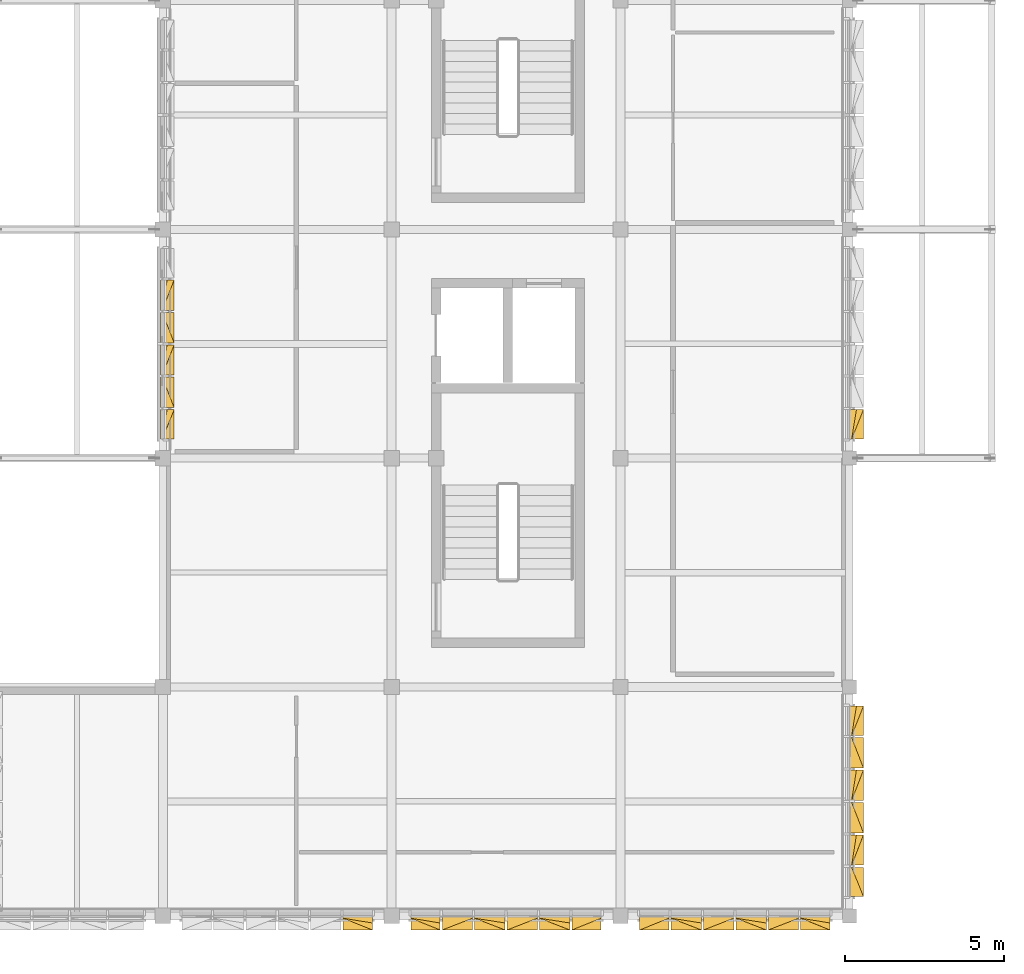
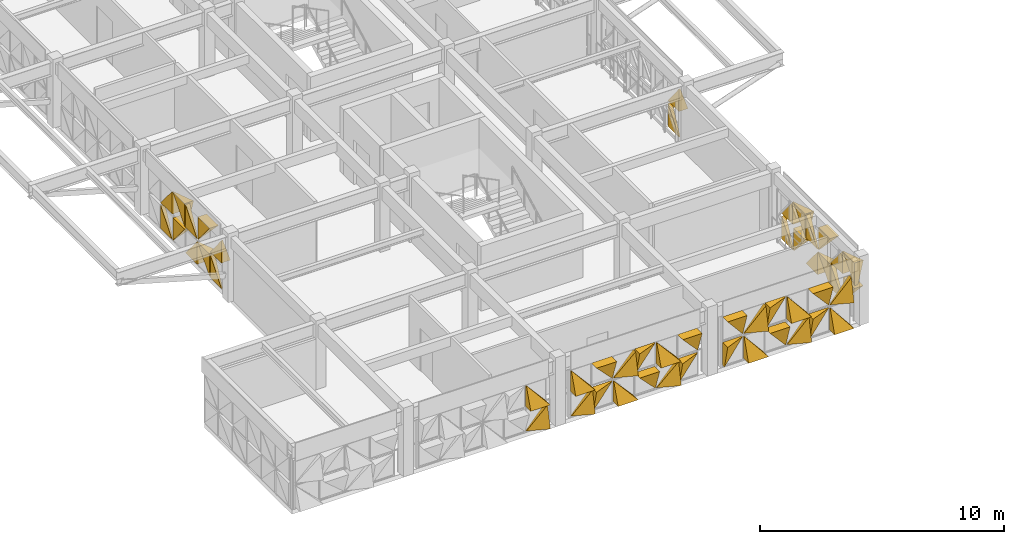
# One storey, part 27 of 30: 50 coverings.
"""IFC4 building model written with IfcOpenShell, lengths in metres."""

from ifc_helpers import new_model, si_unit, direction, frame, origin, place, context, subcontext, project, spatial, polygons, material, layer, layer_set, type_object, element, save


model = new_model("IFC4")

# Units and contexts
model_context = context("Model", 3, precision=1e-05, world=origin(), true_north=direction((0.0, 1.0)))
body_context = subcontext(model_context, "Body", "Model", "MODEL_VIEW")
ifc_project = project(units=[si_unit("LENGTHUNIT", "METRE"), si_unit("AREAUNIT", "SQUARE_METRE"), si_unit("VOLUMEUNIT", "CUBIC_METRE"), si_unit("PLANEANGLEUNIT", "RADIAN"), si_unit("MASSUNIT", "GRAM", prefix="KILO")], contexts=[model_context])

# Site, building, storey
site_placement = place(None, origin())
site = spatial("IfcSite", under=ifc_project, at=site_placement, CompositionType="ELEMENT")
building_placement = place(site_placement, origin())
building = spatial("IfcBuilding", under=site, at=building_placement, Name="Alvorim Cloister Faculty of Sciences", CompositionType="ELEMENT")
storey_placement = place(building_placement, frame((0.0, 0.0, 26.25)))
storey = spatial("IfcBuildingStorey", under=building, at=storey_placement, Name="L07", CompositionType="ELEMENT", Elevation=26.25)

# Coverings
ifc_material = material(Name="Perforated Bronze Alloy Sheet", Category="metal")
ifc_layer = layer(ifc_material, 0.0380859375)
ifc_layer_set = layer_set([ifc_layer], Name="Perforated Bronze Alloy Sheet")
covering_type = type_object("IfcCoveringType", Name="COV-TRI-BRZ", PredefinedType="CLADDING", material=ifc_layer_set)
covering_1_placement = place(storey_placement, frame((22.205078125, 7.155029296875, 0.139892578125), z_axis=(0.0, 0.0, 1.0), x_axis=(1.0, 0.0, 0.0)))
element("IfcCovering", 1, at=covering_1_placement, inside=storey, type_object=covering_type, Name="Diagonal Solid Metal Triangle TRI-TL", PredefinedType="CLADDING", context=body_context, shape_type="Tessellation", body=[
    polygons([(0.920607421875, 0.0260009765625, 1.14013671875), (0.0, 0.0260009765625, 1.14013671875), (0.0, 0.0260009765625, 0.002), (0.920607421875, -0.03, 1.14013671875), (0.0, -0.4, 1.14013671875), (0.0, -0.13999999999999999, 0.002)], [[[1, 3, 2]], [[4, 5, 6]], [[1, 2, 5, 4]], [[2, 3, 6, 5]], [[3, 1, 4, 6]]], closed=True),
])
covering_2_placement = place(storey_placement, frame((22.205078125, 7.155029296875, 1.419921875), z_axis=(0.0, 0.0, 1.0), x_axis=(1.0, 0.0, 0.0)))
element("IfcCovering", 2, at=covering_2_placement, inside=storey, type_object=covering_type, Name="Diagonal Solid Metal Triangle TRI-TR", PredefinedType="CLADDING", context=body_context, shape_type="Tessellation", body=[
    polygons([(0.922607421875, 0.0260009765625, 0.002), (0.922607421875, 0.0260009765625, 1.14013671875), (0.002, 0.0260009765625, 1.14013671875), (0.922607421875, -0.03, 0.002), (0.922607421875, -0.4, 1.14013671875), (0.002, -0.4, 1.14013671875)], [[[1, 3, 2]], [[4, 5, 6]], [[1, 2, 5, 4]], [[2, 3, 6, 5]], [[3, 1, 4, 6]]], closed=True),
])
covering_3_placement = place(storey_placement, frame((23.1923828125, 7.155029296875, 0.139892578125), z_axis=(0.0, 0.0, 1.0), x_axis=(1.0, 0.0, 0.0)))
element("IfcCovering", 3, at=covering_3_placement, inside=storey, type_object=covering_type, Name="Diagonal Solid Metal Triangle TRI-BL", PredefinedType="CLADDING", context=body_context, shape_type="Tessellation", body=[
    polygons([(0.0, 0.0260009765625, 0.0), (0.953078125, 0.0260009765625, 0.0), (0.0, 0.0260009765625, 1.13813671875), (0.0, -0.4, 0.0), (0.953078125, -0.4, 0.0), (0.0, -0.03, 1.13813671875)], [[[1, 3, 2]], [[4, 5, 6]], [[1, 2, 5, 4]], [[2, 3, 6, 5]], [[3, 1, 4, 6]]], closed=True),
])
covering_4_placement = place(storey_placement, frame((23.1923828125, 7.155029296875, 1.419921875), z_axis=(0.0, 0.0, 1.0), x_axis=(1.0, 0.0, 0.0)))
element("IfcCovering", 4, at=covering_4_placement, inside=storey, type_object=covering_type, Name="Diagonal Solid Metal Triangle TRI-BR", PredefinedType="CLADDING", context=body_context, shape_type="Tessellation", body=[
    polygons([(0.002, 0.0260009765625, 0.0), (0.955078125, 0.0260009765625, 0.0), (0.955078125, 0.0260009765625, 1.13813671875), (0.002, -0.03, 0.0), (0.955078125, -0.4, 0.0), (0.955078125, -0.18000000000000002, 1.13813671875)], [[[1, 3, 2]], [[4, 5, 6]], [[1, 2, 5, 4]], [[2, 3, 6, 5]], [[3, 1, 4, 6]]], closed=True),
])
covering_5_placement = place(storey_placement, frame((24.21240234375, 7.155029296875, 0.139892578125), z_axis=(0.0, 0.0, 1.0), x_axis=(1.0, 0.0, 0.0)))
element("IfcCovering", 5, at=covering_5_placement, inside=storey, type_object=covering_type, Name="Diagonal Solid Metal Triangle TRI-TR", PredefinedType="CLADDING", context=body_context, shape_type="Tessellation", body=[
    polygons([(0.955078125, 0.0260009765625, 0.002), (0.955078125, 0.0260009765625, 1.14013671875), (0.002, 0.0260009765625, 1.14013671875), (0.955078125, -0.03, 0.002), (0.955078125, -0.4, 1.14013671875), (0.002, -0.4, 1.14013671875)], [[[1, 3, 2]], [[4, 5, 6]], [[1, 2, 5, 4]], [[2, 3, 6, 5]], [[3, 1, 4, 6]]], closed=True),
])
covering_6_placement = place(storey_placement, frame((24.21240234375, 7.155029296875, 1.419921875), z_axis=(0.0, 0.0, 1.0), x_axis=(1.0, 0.0, 0.0)))
element("IfcCovering", 6, at=covering_6_placement, inside=storey, type_object=covering_type, Name="Diagonal Solid Metal Triangle TRI-TL", PredefinedType="CLADDING", context=body_context, shape_type="Tessellation", body=[
    polygons([(0.953078125, 0.0260009765625, 1.14013671875), (0.0, 0.0260009765625, 1.14013671875), (0.0, 0.0260009765625, 0.002), (0.953078125, -0.03, 1.14013671875), (0.0, -0.4, 1.14013671875), (0.0, -0.13999999999999999, 0.002)], [[[1, 3, 2]], [[4, 5, 6]], [[1, 2, 5, 4]], [[2, 3, 6, 5]], [[3, 1, 4, 6]]], closed=True),
])
covering_7_placement = place(storey_placement, frame((25.232421875, 7.155029296875, 0.139892578125), z_axis=(0.0, 0.0, 1.0), x_axis=(1.0, 0.0, 0.0)))
element("IfcCovering", 7, at=covering_7_placement, inside=storey, type_object=covering_type, Name="Diagonal Solid Metal Triangle TRI-BR", PredefinedType="CLADDING", context=body_context, shape_type="Tessellation", body=[
    polygons([(0.002, 0.0260009765625, 0.0), (0.955078125, 0.0260009765625, 0.0), (0.955078125, 0.0260009765625, 1.13813671875), (0.002, -0.03, 0.0), (0.955078125, -0.4, 0.0), (0.955078125, -0.18000000000000002, 1.13813671875)], [[[1, 3, 2]], [[4, 5, 6]], [[1, 2, 5, 4]], [[2, 3, 6, 5]], [[3, 1, 4, 6]]], closed=True),
])
covering_8_placement = place(storey_placement, frame((25.232421875, 7.155029296875, 1.419921875), z_axis=(0.0, 0.0, 1.0), x_axis=(1.0, 0.0, 0.0)))
element("IfcCovering", 8, at=covering_8_placement, inside=storey, type_object=covering_type, Name="Diagonal Solid Metal Triangle TRI-BL", PredefinedType="CLADDING", context=body_context, shape_type="Tessellation", body=[
    polygons([(0.0, 0.0260009765625, 0.0), (0.953078125, 0.0260009765625, 0.0), (0.0, 0.0260009765625, 1.13813671875), (0.0, -0.4, 0.0), (0.953078125, -0.4, 0.0), (0.0, -0.03, 1.13813671875)], [[[1, 3, 2]], [[4, 5, 6]], [[1, 2, 5, 4]], [[2, 3, 6, 5]], [[3, 1, 4, 6]]], closed=True),
])
covering_9_placement = place(storey_placement, frame((26.25244140625, 7.155029296875, 0.139892578125), z_axis=(0.0, 0.0, 1.0), x_axis=(1.0, 0.0, 0.0)))
element("IfcCovering", 9, at=covering_9_placement, inside=storey, type_object=covering_type, Name="Diagonal Solid Metal Triangle TRI-TL", PredefinedType="CLADDING", context=body_context, shape_type="Tessellation", body=[
    polygons([(0.953078125, 0.0260009765625, 1.14013671875), (0.0, 0.0260009765625, 1.14013671875), (0.0, 0.0260009765625, 0.002), (0.953078125, -0.03, 1.14013671875), (0.0, -0.4, 1.14013671875), (0.0, -0.13999999999999999, 0.002)], [[[1, 3, 2]], [[4, 5, 6]], [[1, 2, 5, 4]], [[2, 3, 6, 5]], [[3, 1, 4, 6]]], closed=True),
])
covering_10_placement = place(storey_placement, frame((26.25244140625, 7.155029296875, 1.419921875), z_axis=(0.0, 0.0, 1.0), x_axis=(1.0, 0.0, 0.0)))
element("IfcCovering", 10, at=covering_10_placement, inside=storey, type_object=covering_type, Name="Diagonal Solid Metal Triangle TRI-TR", PredefinedType="CLADDING", context=body_context, shape_type="Tessellation", body=[
    polygons([(0.955078125, 0.0260009765625, 0.002), (0.955078125, 0.0260009765625, 1.14013671875), (0.002, 0.0260009765625, 1.14013671875), (0.955078125, -0.03, 0.002), (0.955078125, -0.4, 1.14013671875), (0.002, -0.4, 1.14013671875)], [[[1, 3, 2]], [[4, 5, 6]], [[1, 2, 5, 4]], [[2, 3, 6, 5]], [[3, 1, 4, 6]]], closed=True),
])
covering_11_placement = place(storey_placement, frame((27.2724609375, 7.155029296875, 0.139892578125), z_axis=(0.0, 0.0, 1.0), x_axis=(1.0, 0.0, 0.0)))
element("IfcCovering", 11, at=covering_11_placement, inside=storey, type_object=covering_type, Name="Diagonal Solid Metal Triangle TRI-BL", PredefinedType="CLADDING", context=body_context, shape_type="Tessellation", body=[
    polygons([(0.0, 0.0260009765625, 0.0), (0.920607421875, 0.0260009765625, 0.0), (0.0, 0.0260009765625, 1.13813671875), (0.0, -0.4, 0.0), (0.920607421875, -0.4, 0.0), (0.0, -0.03, 1.13813671875)], [[[1, 3, 2]], [[4, 5, 6]], [[1, 2, 5, 4]], [[2, 3, 6, 5]], [[3, 1, 4, 6]]], closed=True),
])
covering_12_placement = place(storey_placement, frame((27.2724609375, 7.155029296875, 1.419921875), z_axis=(0.0, 0.0, 1.0), x_axis=(1.0, 0.0, 0.0)))
element("IfcCovering", 12, at=covering_12_placement, inside=storey, type_object=covering_type, Name="Diagonal Solid Metal Triangle TRI-BR", PredefinedType="CLADDING", context=body_context, shape_type="Tessellation", body=[
    polygons([(0.002, 0.0260009765625, 0.0), (0.922607421875, 0.0260009765625, 0.0), (0.922607421875, 0.0260009765625, 1.13813671875), (0.002, -0.03, 0.0), (0.922607421875, -0.4, 0.0), (0.922607421875, -0.18000000000000002, 1.13813671875)], [[[1, 3, 2]], [[4, 5, 6]], [[1, 2, 5, 4]], [[2, 3, 6, 5]], [[3, 1, 4, 6]]], closed=True),
])
covering_13_placement = place(storey_placement, frame((15.0048828125, 7.155029296875, 0.139892578125), z_axis=(0.0, 0.0, 1.0), x_axis=(1.0, 0.0, 0.0)))
element("IfcCovering", 13, at=covering_13_placement, inside=storey, type_object=covering_type, Name="Diagonal Solid Metal Triangle TRI-BR", PredefinedType="CLADDING", context=body_context, shape_type="Tessellation", body=[
    polygons([(0.002, 0.0260009765625, 0.0), (0.922607421875, 0.0260009765625, 0.0), (0.922607421875, 0.0260009765625, 1.066115234375), (0.002, -0.03, 0.0), (0.922607421875, -0.4, 0.0), (0.922607421875, -0.18000000000000002, 1.066115234375)], [[[1, 3, 2]], [[4, 5, 6]], [[1, 2, 5, 4]], [[2, 3, 6, 5]], [[3, 1, 4, 6]]], closed=True),
])
covering_14_placement = place(storey_placement, frame((15.0048828125, 7.155029296875, 1.347900390625), z_axis=(0.0, 0.0, 1.0), x_axis=(1.0, 0.0, 0.0)))
element("IfcCovering", 14, at=covering_14_placement, inside=storey, type_object=covering_type, Name="Diagonal Solid Metal Triangle TRI-BL", PredefinedType="CLADDING", context=body_context, shape_type="Tessellation", body=[
    polygons([(0.0, 0.0260009765625, 0.0), (0.920607421875, 0.0260009765625, 0.0), (0.0, 0.0260009765625, 1.066115234375), (0.0, -0.4, 0.0), (0.920607421875, -0.4, 0.0), (0.0, -0.03, 1.066115234375)], [[[1, 3, 2]], [[4, 5, 6]], [[1, 2, 5, 4]], [[2, 3, 6, 5]], [[3, 1, 4, 6]]], closed=True),
])
covering_15_placement = place(storey_placement, frame((15.992431640625, 7.155029296875, 0.139892578125), z_axis=(0.0, 0.0, 1.0), x_axis=(1.0, 0.0, 0.0)))
element("IfcCovering", 15, at=covering_15_placement, inside=storey, type_object=covering_type, Name="Diagonal Solid Metal Triangle TRI-TL", PredefinedType="CLADDING", context=body_context, shape_type="Tessellation", body=[
    polygons([(0.953078125, 0.0260009765625, 1.068115234375), (0.0, 0.0260009765625, 1.068115234375), (0.0, 0.0260009765625, 0.002), (0.953078125, -0.03, 1.068115234375), (0.0, -0.4, 1.068115234375), (0.0, -0.13999999999999999, 0.002)], [[[1, 3, 2]], [[4, 5, 6]], [[1, 2, 5, 4]], [[2, 3, 6, 5]], [[3, 1, 4, 6]]], closed=True),
])
covering_16_placement = place(storey_placement, frame((15.992431640625, 7.155029296875, 1.347900390625), z_axis=(0.0, 0.0, 1.0), x_axis=(1.0, 0.0, 0.0)))
element("IfcCovering", 16, at=covering_16_placement, inside=storey, type_object=covering_type, Name="Diagonal Solid Metal Triangle TRI-TR", PredefinedType="CLADDING", context=body_context, shape_type="Tessellation", body=[
    polygons([(0.955078125, 0.0260009765625, 0.002), (0.955078125, 0.0260009765625, 1.068115234375), (0.002, 0.0260009765625, 1.068115234375), (0.955078125, -0.03, 0.002), (0.955078125, -0.4, 1.068115234375), (0.002, -0.4, 1.068115234375)], [[[1, 3, 2]], [[4, 5, 6]], [[1, 2, 5, 4]], [[2, 3, 6, 5]], [[3, 1, 4, 6]]], closed=True),
])
covering_17_placement = place(storey_placement, frame((17.012451171875, 7.155029296875, 0.139892578125), z_axis=(0.0, 0.0, 1.0), x_axis=(1.0, 0.0, 0.0)))
element("IfcCovering", 17, at=covering_17_placement, inside=storey, type_object=covering_type, Name="Diagonal Solid Metal Triangle TRI-BL", PredefinedType="CLADDING", context=body_context, shape_type="Tessellation", body=[
    polygons([(0.0, 0.0260009765625, 0.0), (0.953078125, 0.0260009765625, 0.0), (0.0, 0.0260009765625, 1.066115234375), (0.0, -0.4, 0.0), (0.953078125, -0.4, 0.0), (0.0, -0.03, 1.066115234375)], [[[1, 3, 2]], [[4, 5, 6]], [[1, 2, 5, 4]], [[2, 3, 6, 5]], [[3, 1, 4, 6]]], closed=True),
])
covering_18_placement = place(storey_placement, frame((17.012451171875, 7.155029296875, 1.347900390625), z_axis=(0.0, 0.0, 1.0), x_axis=(1.0, 0.0, 0.0)))
element("IfcCovering", 18, at=covering_18_placement, inside=storey, type_object=covering_type, Name="Diagonal Solid Metal Triangle TRI-BR", PredefinedType="CLADDING", context=body_context, shape_type="Tessellation", body=[
    polygons([(0.002, 0.0260009765625, 0.0), (0.955078125, 0.0260009765625, 0.0), (0.955078125, 0.0260009765625, 1.066115234375), (0.002, -0.03, 0.0), (0.955078125, -0.4, 0.0), (0.955078125, -0.18000000000000002, 1.066115234375)], [[[1, 3, 2]], [[4, 5, 6]], [[1, 2, 5, 4]], [[2, 3, 6, 5]], [[3, 1, 4, 6]]], closed=True),
])
covering_19_placement = place(storey_placement, frame((18.032470703125, 7.155029296875, 0.139892578125), z_axis=(0.0, 0.0, 1.0), x_axis=(1.0, 0.0, 0.0)))
element("IfcCovering", 19, at=covering_19_placement, inside=storey, type_object=covering_type, Name="Diagonal Solid Metal Triangle TRI-TR", PredefinedType="CLADDING", context=body_context, shape_type="Tessellation", body=[
    polygons([(0.955078125, 0.0260009765625, 0.002), (0.955078125, 0.0260009765625, 1.068115234375), (0.002, 0.0260009765625, 1.068115234375), (0.955078125, -0.03, 0.002), (0.955078125, -0.4, 1.068115234375), (0.002, -0.4, 1.068115234375)], [[[1, 3, 2]], [[4, 5, 6]], [[1, 2, 5, 4]], [[2, 3, 6, 5]], [[3, 1, 4, 6]]], closed=True),
])
covering_20_placement = place(storey_placement, frame((18.032470703125, 7.155029296875, 1.347900390625), z_axis=(0.0, 0.0, 1.0), x_axis=(1.0, 0.0, 0.0)))
element("IfcCovering", 20, at=covering_20_placement, inside=storey, type_object=covering_type, Name="Diagonal Solid Metal Triangle TRI-TL", PredefinedType="CLADDING", context=body_context, shape_type="Tessellation", body=[
    polygons([(0.953078125, 0.0260009765625, 1.068115234375), (0.0, 0.0260009765625, 1.068115234375), (0.0, 0.0260009765625, 0.002), (0.953078125, -0.03, 1.068115234375), (0.0, -0.4, 1.068115234375), (0.0, -0.13999999999999999, 0.002)], [[[1, 3, 2]], [[4, 5, 6]], [[1, 2, 5, 4]], [[2, 3, 6, 5]], [[3, 1, 4, 6]]], closed=True),
])
covering_21_placement = place(storey_placement, frame((19.052490234375, 7.155029296875, 0.139892578125), z_axis=(0.0, 0.0, 1.0), x_axis=(1.0, 0.0, 0.0)))
element("IfcCovering", 21, at=covering_21_placement, inside=storey, type_object=covering_type, Name="Diagonal Solid Metal Triangle TRI-BR", PredefinedType="CLADDING", context=body_context, shape_type="Tessellation", body=[
    polygons([(0.002, 0.0260009765625, 0.0), (0.955078125, 0.0260009765625, 0.0), (0.955078125, 0.0260009765625, 1.066115234375), (0.002, -0.03, 0.0), (0.955078125, -0.4, 0.0), (0.955078125, -0.18000000000000002, 1.066115234375)], [[[1, 3, 2]], [[4, 5, 6]], [[1, 2, 5, 4]], [[2, 3, 6, 5]], [[3, 1, 4, 6]]], closed=True),
])
covering_22_placement = place(storey_placement, frame((19.052490234375, 7.155029296875, 1.347900390625), z_axis=(0.0, 0.0, 1.0), x_axis=(1.0, 0.0, 0.0)))
element("IfcCovering", 22, at=covering_22_placement, inside=storey, type_object=covering_type, Name="Diagonal Solid Metal Triangle TRI-BL", PredefinedType="CLADDING", context=body_context, shape_type="Tessellation", body=[
    polygons([(0.0, 0.0260009765625, 0.0), (0.953078125, 0.0260009765625, 0.0), (0.0, 0.0260009765625, 1.066115234375), (0.0, -0.4, 0.0), (0.953078125, -0.4, 0.0), (0.0, -0.03, 1.066115234375)], [[[1, 3, 2]], [[4, 5, 6]], [[1, 2, 5, 4]], [[2, 3, 6, 5]], [[3, 1, 4, 6]]], closed=True),
])
covering_23_placement = place(storey_placement, frame((20.072509765625, 7.155029296875, 0.139892578125), z_axis=(0.0, 0.0, 1.0), x_axis=(1.0, 0.0, 0.0)))
element("IfcCovering", 23, at=covering_23_placement, inside=storey, type_object=covering_type, Name="Diagonal Solid Metal Triangle TRI-TL", PredefinedType="CLADDING", context=body_context, shape_type="Tessellation", body=[
    polygons([(0.920607421875, 0.0260009765625, 1.068115234375), (0.0, 0.0260009765625, 1.068115234375), (0.0, 0.0260009765625, 0.002), (0.920607421875, -0.03, 1.068115234375), (0.0, -0.4, 1.068115234375), (0.0, -0.13999999999999999, 0.002)], [[[1, 3, 2]], [[4, 5, 6]], [[1, 2, 5, 4]], [[2, 3, 6, 5]], [[3, 1, 4, 6]]], closed=True),
])
covering_24_placement = place(storey_placement, frame((20.072509765625, 7.155029296875, 1.347900390625), z_axis=(0.0, 0.0, 1.0), x_axis=(1.0, 0.0, 0.0)))
element("IfcCovering", 24, at=covering_24_placement, inside=storey, type_object=covering_type, Name="Diagonal Solid Metal Triangle TRI-TR", PredefinedType="CLADDING", context=body_context, shape_type="Tessellation", body=[
    polygons([(0.922607421875, 0.0260009765625, 0.002), (0.922607421875, 0.0260009765625, 1.068115234375), (0.002, 0.0260009765625, 1.068115234375), (0.922607421875, -0.03, 0.002), (0.922607421875, -0.4, 1.068115234375), (0.002, -0.4, 1.068115234375)], [[[1, 3, 2]], [[4, 5, 6]], [[1, 2, 5, 4]], [[2, 3, 6, 5]], [[3, 1, 4, 6]]], closed=True),
])
covering_25_placement = place(storey_placement, frame((12.87255859375, 7.155029296875, 0.139892578125), z_axis=(0.0, 0.0, 1.0), x_axis=(1.0, 0.0, 0.0)))
element("IfcCovering", 25, at=covering_25_placement, inside=storey, type_object=covering_type, Name="Diagonal Solid Metal Triangle TRI-BR", PredefinedType="CLADDING", context=body_context, shape_type="Tessellation", body=[
    polygons([(0.002, 0.0260009765625, 0.0), (0.922607421875, 0.0260009765625, 0.0), (0.922607421875, 0.0260009765625, 1.066115234375), (0.002, -0.03, 0.0), (0.922607421875, -0.4, 0.0), (0.922607421875, -0.18000000000000002, 1.066115234375)], [[[1, 3, 2]], [[4, 5, 6]], [[1, 2, 5, 4]], [[2, 3, 6, 5]], [[3, 1, 4, 6]]], closed=True),
])
covering_26_placement = place(storey_placement, frame((12.87255859375, 7.155029296875, 1.347900390625), z_axis=(0.0, 0.0, 1.0), x_axis=(1.0, 0.0, 0.0)))
element("IfcCovering", 26, at=covering_26_placement, inside=storey, type_object=covering_type, Name="Diagonal Solid Metal Triangle TRI-BL", PredefinedType="CLADDING", context=body_context, shape_type="Tessellation", body=[
    polygons([(0.0, 0.0260009765625, 0.0), (0.920607421875, 0.0260009765625, 0.0), (0.0, 0.0260009765625, 1.066115234375), (0.0, -0.4, 0.0), (0.920607421875, -0.4, 0.0), (0.0, -0.03, 1.066115234375)], [[[1, 3, 2]], [[4, 5, 6]], [[1, 2, 5, 4]], [[2, 3, 6, 5]], [[3, 1, 4, 6]]], closed=True),
])
covering_27_placement = place(storey_placement, frame((7.155029296875, 22.205078125, 0.139892578125), z_axis=(0.0, 0.0, 1.0), x_axis=(0.0, 1.0, 0.0)))
element("IfcCovering", 27, at=covering_27_placement, inside=storey, type_object=covering_type, Name="Diagonal Solid Metal Triangle TRI-BR", PredefinedType="CLADDING", context=body_context, shape_type="Tessellation", body=[
    polygons([(0.002, 0.0260009765625, 0.0), (0.922607421875, 0.0260009765625, 0.0), (0.922607421875, 0.0260009765625, 1.13813671875), (0.002, -0.03, 0.0), (0.922607421875, -0.4, 0.0), (0.922607421875, -0.18000000000000002, 1.13813671875)], [[[1, 3, 2]], [[4, 5, 6]], [[1, 2, 5, 4]], [[2, 3, 6, 5]], [[3, 1, 4, 6]]], closed=True),
])
covering_28_placement = place(storey_placement, frame((7.155029296875, 22.205078125, 1.419921875), z_axis=(0.0, 0.0, 1.0), x_axis=(0.0, 1.0, 0.0)))
element("IfcCovering", 28, at=covering_28_placement, inside=storey, type_object=covering_type, Name="Diagonal Solid Metal Triangle TRI-BL", PredefinedType="CLADDING", context=body_context, shape_type="Tessellation", body=[
    polygons([(0.0, 0.0260009765625, 0.0), (0.920607421875, 0.0260009765625, 0.0), (0.0, 0.0260009765625, 1.13813671875), (0.0, -0.4, 0.0), (0.920607421875, -0.4, 0.0), (0.0, -0.03, 1.13813671875)], [[[1, 3, 2]], [[4, 5, 6]], [[1, 2, 5, 4]], [[2, 3, 6, 5]], [[3, 1, 4, 6]]], closed=True),
])
covering_29_placement = place(storey_placement, frame((7.155029296875, 23.1923828125, 0.139892578125), z_axis=(0.0, 0.0, 1.0), x_axis=(0.0, 1.0, 0.0)))
element("IfcCovering", 29, at=covering_29_placement, inside=storey, type_object=covering_type, Name="Diagonal Solid Metal Triangle TRI-TL", PredefinedType="CLADDING", context=body_context, shape_type="Tessellation", body=[
    polygons([(0.953078125, 0.0260009765625, 1.14013671875), (0.0, 0.0260009765625, 1.14013671875), (0.0, 0.0260009765625, 0.002), (0.953078125, -0.03, 1.14013671875), (0.0, -0.4, 1.14013671875), (0.0, -0.13999999999999999, 0.002)], [[[1, 3, 2]], [[4, 5, 6]], [[1, 2, 5, 4]], [[2, 3, 6, 5]], [[3, 1, 4, 6]]], closed=True),
])
covering_30_placement = place(storey_placement, frame((7.155029296875, 23.1923828125, 1.419921875), z_axis=(0.0, 0.0, 1.0), x_axis=(0.0, 1.0, 0.0)))
element("IfcCovering", 30, at=covering_30_placement, inside=storey, type_object=covering_type, Name="Diagonal Solid Metal Triangle TRI-TR", PredefinedType="CLADDING", context=body_context, shape_type="Tessellation", body=[
    polygons([(0.955078125, 0.0260009765625, 0.002), (0.955078125, 0.0260009765625, 1.14013671875), (0.002, 0.0260009765625, 1.14013671875), (0.955078125, -0.03, 0.002), (0.955078125, -0.4, 1.14013671875), (0.002, -0.4, 1.14013671875)], [[[1, 3, 2]], [[4, 5, 6]], [[1, 2, 5, 4]], [[2, 3, 6, 5]], [[3, 1, 4, 6]]], closed=True),
])
covering_31_placement = place(storey_placement, frame((7.155029296875, 24.21240234375, 0.139892578125), z_axis=(0.0, 0.0, 1.0), x_axis=(0.0, 1.0, 0.0)))
element("IfcCovering", 31, at=covering_31_placement, inside=storey, type_object=covering_type, Name="Diagonal Solid Metal Triangle TRI-BL", PredefinedType="CLADDING", context=body_context, shape_type="Tessellation", body=[
    polygons([(0.0, 0.0260009765625, 0.0), (0.953078125, 0.0260009765625, 0.0), (0.0, 0.0260009765625, 1.13813671875), (0.0, -0.4, 0.0), (0.953078125, -0.4, 0.0), (0.0, -0.03, 1.13813671875)], [[[1, 3, 2]], [[4, 5, 6]], [[1, 2, 5, 4]], [[2, 3, 6, 5]], [[3, 1, 4, 6]]], closed=True),
])
covering_32_placement = place(storey_placement, frame((7.155029296875, 24.21240234375, 1.419921875), z_axis=(0.0, 0.0, 1.0), x_axis=(0.0, 1.0, 0.0)))
element("IfcCovering", 32, at=covering_32_placement, inside=storey, type_object=covering_type, Name="Diagonal Solid Metal Triangle TRI-BR", PredefinedType="CLADDING", context=body_context, shape_type="Tessellation", body=[
    polygons([(0.002, 0.0260009765625, 0.0), (0.955078125, 0.0260009765625, 0.0), (0.955078125, 0.0260009765625, 1.13813671875), (0.002, -0.03, 0.0), (0.955078125, -0.4, 0.0), (0.955078125, -0.18000000000000002, 1.13813671875)], [[[1, 3, 2]], [[4, 5, 6]], [[1, 2, 5, 4]], [[2, 3, 6, 5]], [[3, 1, 4, 6]]], closed=True),
])
covering_33_placement = place(storey_placement, frame((7.155029296875, 25.232421875, 0.139892578125), z_axis=(0.0, 0.0, 1.0), x_axis=(0.0, 1.0, 0.0)))
element("IfcCovering", 33, at=covering_33_placement, inside=storey, type_object=covering_type, Name="Diagonal Solid Metal Triangle TRI-TR", PredefinedType="CLADDING", context=body_context, shape_type="Tessellation", body=[
    polygons([(0.955078125, 0.0260009765625, 0.002), (0.955078125, 0.0260009765625, 1.14013671875), (0.002, 0.0260009765625, 1.14013671875), (0.955078125, -0.03, 0.002), (0.955078125, -0.4, 1.14013671875), (0.002, -0.4, 1.14013671875)], [[[1, 3, 2]], [[4, 5, 6]], [[1, 2, 5, 4]], [[2, 3, 6, 5]], [[3, 1, 4, 6]]], closed=True),
])
covering_34_placement = place(storey_placement, frame((7.155029296875, 25.232421875, 1.419921875), z_axis=(0.0, 0.0, 1.0), x_axis=(0.0, 1.0, 0.0)))
element("IfcCovering", 34, at=covering_34_placement, inside=storey, type_object=covering_type, Name="Diagonal Solid Metal Triangle TRI-TL", PredefinedType="CLADDING", context=body_context, shape_type="Tessellation", body=[
    polygons([(0.953078125, 0.0260009765625, 1.14013671875), (0.0, 0.0260009765625, 1.14013671875), (0.0, 0.0260009765625, 0.002), (0.953078125, -0.03, 1.14013671875), (0.0, -0.4, 1.14013671875), (0.0, -0.13999999999999999, 0.002)], [[[1, 3, 2]], [[4, 5, 6]], [[1, 2, 5, 4]], [[2, 3, 6, 5]], [[3, 1, 4, 6]]], closed=True),
])
covering_35_placement = place(storey_placement, frame((7.155029296875, 26.25244140625, 0.139892578125), z_axis=(0.0, 0.0, 1.0), x_axis=(0.0, 1.0, 0.0)))
element("IfcCovering", 35, at=covering_35_placement, inside=storey, type_object=covering_type, Name="Diagonal Solid Metal Triangle TRI-BR", PredefinedType="CLADDING", context=body_context, shape_type="Tessellation", body=[
    polygons([(0.002, 0.0260009765625, 0.0), (0.955078125, 0.0260009765625, 0.0), (0.955078125, 0.0260009765625, 1.13813671875), (0.002, -0.03, 0.0), (0.955078125, -0.4, 0.0), (0.955078125, -0.18000000000000002, 1.13813671875)], [[[1, 3, 2]], [[4, 5, 6]], [[1, 2, 5, 4]], [[2, 3, 6, 5]], [[3, 1, 4, 6]]], closed=True),
])
covering_36_placement = place(storey_placement, frame((7.155029296875, 26.25244140625, 1.419921875), z_axis=(0.0, 0.0, 1.0), x_axis=(0.0, 1.0, 0.0)))
element("IfcCovering", 36, at=covering_36_placement, inside=storey, type_object=covering_type, Name="Diagonal Solid Metal Triangle TRI-BL", PredefinedType="CLADDING", context=body_context, shape_type="Tessellation", body=[
    polygons([(0.0, 0.0260009765625, 0.0), (0.953078125, 0.0260009765625, 0.0), (0.0, 0.0260009765625, 1.13813671875), (0.0, -0.4, 0.0), (0.953078125, -0.4, 0.0), (0.0, -0.03, 1.13813671875)], [[[1, 3, 2]], [[4, 5, 6]], [[1, 2, 5, 4]], [[2, 3, 6, 5]], [[3, 1, 4, 6]]], closed=True),
])
covering_37_placement = place(storey_placement, frame((28.844970703125, 22.205078125, 0.139892578125), z_axis=(0.0, 0.0, 1.0), x_axis=(0.0, 1.0, 0.0)))
element("IfcCovering", 37, at=covering_37_placement, inside=storey, type_object=covering_type, Name="Diagonal Solid Metal Triangle TRI-BR", PredefinedType="CLADDING", context=body_context, shape_type="Tessellation", body=[
    polygons([(0.002, 0.0260009765625, 0.0), (0.922607421875, 0.0260009765625, 0.0), (0.922607421875, 0.0260009765625, 1.13813671875), (0.002, -0.03, 0.0), (0.922607421875, -0.4, 0.0), (0.922607421875, -0.18000000000000002, 1.13813671875)], [[[1, 3, 2]], [[4, 5, 6]], [[1, 2, 5, 4]], [[2, 3, 6, 5]], [[3, 1, 4, 6]]], closed=True),
])
covering_38_placement = place(storey_placement, frame((28.844970703125, 22.205078125, 1.419921875), z_axis=(0.0, 0.0, 1.0), x_axis=(0.0, 1.0, 0.0)))
element("IfcCovering", 38, at=covering_38_placement, inside=storey, type_object=covering_type, Name="Diagonal Solid Metal Triangle TRI-BL", PredefinedType="CLADDING", context=body_context, shape_type="Tessellation", body=[
    polygons([(0.0, 0.0260009765625, 0.0), (0.920607421875, 0.0260009765625, 0.0), (0.0, 0.0260009765625, 1.13813671875), (0.0, -0.4, 0.0), (0.920607421875, -0.4, 0.0), (0.0, -0.03, 1.13813671875)], [[[1, 3, 2]], [[4, 5, 6]], [[1, 2, 5, 4]], [[2, 3, 6, 5]], [[3, 1, 4, 6]]], closed=True),
])
covering_39_placement = place(storey_placement, frame((28.844970703125, 7.804931640625, 0.139892578125), z_axis=(0.0, 0.0, 1.0), x_axis=(0.0, 1.0, 0.0)))
element("IfcCovering", 39, at=covering_39_placement, inside=storey, type_object=covering_type, Name="Diagonal Solid Metal Triangle TRI-TR", PredefinedType="CLADDING", context=body_context, shape_type="Tessellation", body=[
    polygons([(0.922607421875, 0.0260009765625, 0.002), (0.922607421875, 0.0260009765625, 1.14013671875), (0.002, 0.0260009765625, 1.14013671875), (0.922607421875, -0.03, 0.002), (0.922607421875, -0.4, 1.14013671875), (0.002, -0.4, 1.14013671875)], [[[1, 3, 2]], [[4, 5, 6]], [[1, 2, 5, 4]], [[2, 3, 6, 5]], [[3, 1, 4, 6]]], closed=True),
])
covering_40_placement = place(storey_placement, frame((28.844970703125, 7.804931640625, 1.419921875), z_axis=(0.0, 0.0, 1.0), x_axis=(0.0, 1.0, 0.0)))
element("IfcCovering", 40, at=covering_40_placement, inside=storey, type_object=covering_type, Name="Diagonal Solid Metal Triangle TRI-TL", PredefinedType="CLADDING", context=body_context, shape_type="Tessellation", body=[
    polygons([(0.920607421875, 0.0260009765625, 1.14013671875), (0.0, 0.0260009765625, 1.14013671875), (0.0, 0.0260009765625, 0.002), (0.920607421875, -0.03, 1.14013671875), (0.0, -0.4, 1.14013671875), (0.0, -0.13999999999999999, 0.002)], [[[1, 3, 2]], [[4, 5, 6]], [[1, 2, 5, 4]], [[2, 3, 6, 5]], [[3, 1, 4, 6]]], closed=True),
])
covering_41_placement = place(storey_placement, frame((28.844970703125, 8.79248046875, 0.139892578125), z_axis=(0.0, 0.0, 1.0), x_axis=(0.0, 1.0, 0.0)))
element("IfcCovering", 41, at=covering_41_placement, inside=storey, type_object=covering_type, Name="Diagonal Solid Metal Triangle TRI-BR", PredefinedType="CLADDING", context=body_context, shape_type="Tessellation", body=[
    polygons([(0.002, 0.0260009765625, 0.0), (0.955078125, 0.0260009765625, 0.0), (0.955078125, 0.0260009765625, 1.13813671875), (0.002, -0.03, 0.0), (0.955078125, -0.4, 0.0), (0.955078125, -0.18000000000000002, 1.13813671875)], [[[1, 3, 2]], [[4, 5, 6]], [[1, 2, 5, 4]], [[2, 3, 6, 5]], [[3, 1, 4, 6]]], closed=True),
])
covering_42_placement = place(storey_placement, frame((28.844970703125, 8.79248046875, 1.419921875), z_axis=(0.0, 0.0, 1.0), x_axis=(0.0, 1.0, 0.0)))
element("IfcCovering", 42, at=covering_42_placement, inside=storey, type_object=covering_type, Name="Diagonal Solid Metal Triangle TRI-BL", PredefinedType="CLADDING", context=body_context, shape_type="Tessellation", body=[
    polygons([(0.0, 0.0260009765625, 0.0), (0.953078125, 0.0260009765625, 0.0), (0.0, 0.0260009765625, 1.13813671875), (0.0, -0.4, 0.0), (0.953078125, -0.4, 0.0), (0.0, -0.03, 1.13813671875)], [[[1, 3, 2]], [[4, 5, 6]], [[1, 2, 5, 4]], [[2, 3, 6, 5]], [[3, 1, 4, 6]]], closed=True),
])
covering_43_placement = place(storey_placement, frame((28.844970703125, 9.8125, 0.139892578125), z_axis=(0.0, 0.0, 1.0), x_axis=(0.0, 1.0, 0.0)))
element("IfcCovering", 43, at=covering_43_placement, inside=storey, type_object=covering_type, Name="Diagonal Solid Metal Triangle TRI-TL", PredefinedType="CLADDING", context=body_context, shape_type="Tessellation", body=[
    polygons([(0.953078125, 0.0260009765625, 1.14013671875), (0.0, 0.0260009765625, 1.14013671875), (0.0, 0.0260009765625, 0.002), (0.953078125, -0.03, 1.14013671875), (0.0, -0.4, 1.14013671875), (0.0, -0.13999999999999999, 0.002)], [[[1, 3, 2]], [[4, 5, 6]], [[1, 2, 5, 4]], [[2, 3, 6, 5]], [[3, 1, 4, 6]]], closed=True),
])
covering_44_placement = place(storey_placement, frame((28.844970703125, 9.8125, 1.419921875), z_axis=(0.0, 0.0, 1.0), x_axis=(0.0, 1.0, 0.0)))
element("IfcCovering", 44, at=covering_44_placement, inside=storey, type_object=covering_type, Name="Diagonal Solid Metal Triangle TRI-TR", PredefinedType="CLADDING", context=body_context, shape_type="Tessellation", body=[
    polygons([(0.955078125, 0.0260009765625, 0.002), (0.955078125, 0.0260009765625, 1.14013671875), (0.002, 0.0260009765625, 1.14013671875), (0.955078125, -0.03, 0.002), (0.955078125, -0.4, 1.14013671875), (0.002, -0.4, 1.14013671875)], [[[1, 3, 2]], [[4, 5, 6]], [[1, 2, 5, 4]], [[2, 3, 6, 5]], [[3, 1, 4, 6]]], closed=True),
])
covering_45_placement = place(storey_placement, frame((28.844970703125, 10.83251953125, 0.139892578125), z_axis=(0.0, 0.0, 1.0), x_axis=(0.0, 1.0, 0.0)))
element("IfcCovering", 45, at=covering_45_placement, inside=storey, type_object=covering_type, Name="Diagonal Solid Metal Triangle TRI-BL", PredefinedType="CLADDING", context=body_context, shape_type="Tessellation", body=[
    polygons([(0.0, 0.0260009765625, 0.0), (0.953078125, 0.0260009765625, 0.0), (0.0, 0.0260009765625, 1.13813671875), (0.0, -0.4, 0.0), (0.953078125, -0.4, 0.0), (0.0, -0.03, 1.13813671875)], [[[1, 3, 2]], [[4, 5, 6]], [[1, 2, 5, 4]], [[2, 3, 6, 5]], [[3, 1, 4, 6]]], closed=True),
])
covering_46_placement = place(storey_placement, frame((28.844970703125, 10.83251953125, 1.419921875), z_axis=(0.0, 0.0, 1.0), x_axis=(0.0, 1.0, 0.0)))
element("IfcCovering", 46, at=covering_46_placement, inside=storey, type_object=covering_type, Name="Diagonal Solid Metal Triangle TRI-BR", PredefinedType="CLADDING", context=body_context, shape_type="Tessellation", body=[
    polygons([(0.002, 0.0260009765625, 0.0), (0.955078125, 0.0260009765625, 0.0), (0.955078125, 0.0260009765625, 1.13813671875), (0.002, -0.03, 0.0), (0.955078125, -0.4, 0.0), (0.955078125, -0.18000000000000002, 1.13813671875)], [[[1, 3, 2]], [[4, 5, 6]], [[1, 2, 5, 4]], [[2, 3, 6, 5]], [[3, 1, 4, 6]]], closed=True),
])
covering_47_placement = place(storey_placement, frame((28.844970703125, 11.8525390625, 0.139892578125), z_axis=(0.0, 0.0, 1.0), x_axis=(0.0, 1.0, 0.0)))
element("IfcCovering", 47, at=covering_47_placement, inside=storey, type_object=covering_type, Name="Diagonal Solid Metal Triangle TRI-TR", PredefinedType="CLADDING", context=body_context, shape_type="Tessellation", body=[
    polygons([(0.955078125, 0.0260009765625, 0.002), (0.955078125, 0.0260009765625, 1.14013671875), (0.002, 0.0260009765625, 1.14013671875), (0.955078125, -0.03, 0.002), (0.955078125, -0.4, 1.14013671875), (0.002, -0.4, 1.14013671875)], [[[1, 3, 2]], [[4, 5, 6]], [[1, 2, 5, 4]], [[2, 3, 6, 5]], [[3, 1, 4, 6]]], closed=True),
])
covering_48_placement = place(storey_placement, frame((28.844970703125, 11.8525390625, 1.419921875), z_axis=(0.0, 0.0, 1.0), x_axis=(0.0, 1.0, 0.0)))
element("IfcCovering", 48, at=covering_48_placement, inside=storey, type_object=covering_type, Name="Diagonal Solid Metal Triangle TRI-TL", PredefinedType="CLADDING", context=body_context, shape_type="Tessellation", body=[
    polygons([(0.953078125, 0.0260009765625, 1.14013671875), (0.0, 0.0260009765625, 1.14013671875), (0.0, 0.0260009765625, 0.002), (0.953078125, -0.03, 1.14013671875), (0.0, -0.4, 1.14013671875), (0.0, -0.13999999999999999, 0.002)], [[[1, 3, 2]], [[4, 5, 6]], [[1, 2, 5, 4]], [[2, 3, 6, 5]], [[3, 1, 4, 6]]], closed=True),
])
covering_49_placement = place(storey_placement, frame((28.844970703125, 12.87255859375, 0.139892578125), z_axis=(0.0, 0.0, 1.0), x_axis=(0.0, 1.0, 0.0)))
element("IfcCovering", 49, at=covering_49_placement, inside=storey, type_object=covering_type, Name="Diagonal Solid Metal Triangle TRI-BR", PredefinedType="CLADDING", context=body_context, shape_type="Tessellation", body=[
    polygons([(0.002, 0.0260009765625, 0.0), (0.922607421875, 0.0260009765625, 0.0), (0.922607421875, 0.0260009765625, 1.13813671875), (0.002, -0.03, 0.0), (0.922607421875, -0.4, 0.0), (0.922607421875, -0.18000000000000002, 1.13813671875)], [[[1, 3, 2]], [[4, 5, 6]], [[1, 2, 5, 4]], [[2, 3, 6, 5]], [[3, 1, 4, 6]]], closed=True),
])
covering_50_placement = place(storey_placement, frame((28.844970703125, 12.87255859375, 1.419921875), z_axis=(0.0, 0.0, 1.0), x_axis=(0.0, 1.0, 0.0)))
element("IfcCovering", 50, at=covering_50_placement, inside=storey, type_object=covering_type, Name="Diagonal Solid Metal Triangle TRI-BL", PredefinedType="CLADDING", context=body_context, shape_type="Tessellation", body=[
    polygons([(0.0, 0.0260009765625, 0.0), (0.920607421875, 0.0260009765625, 0.0), (0.0, 0.0260009765625, 1.13813671875), (0.0, -0.4, 0.0), (0.920607421875, -0.4, 0.0), (0.0, -0.03, 1.13813671875)], [[[1, 3, 2]], [[4, 5, 6]], [[1, 2, 5, 4]], [[2, 3, 6, 5]], [[3, 1, 4, 6]]], closed=True),
])

save(model, "model.ifc")
